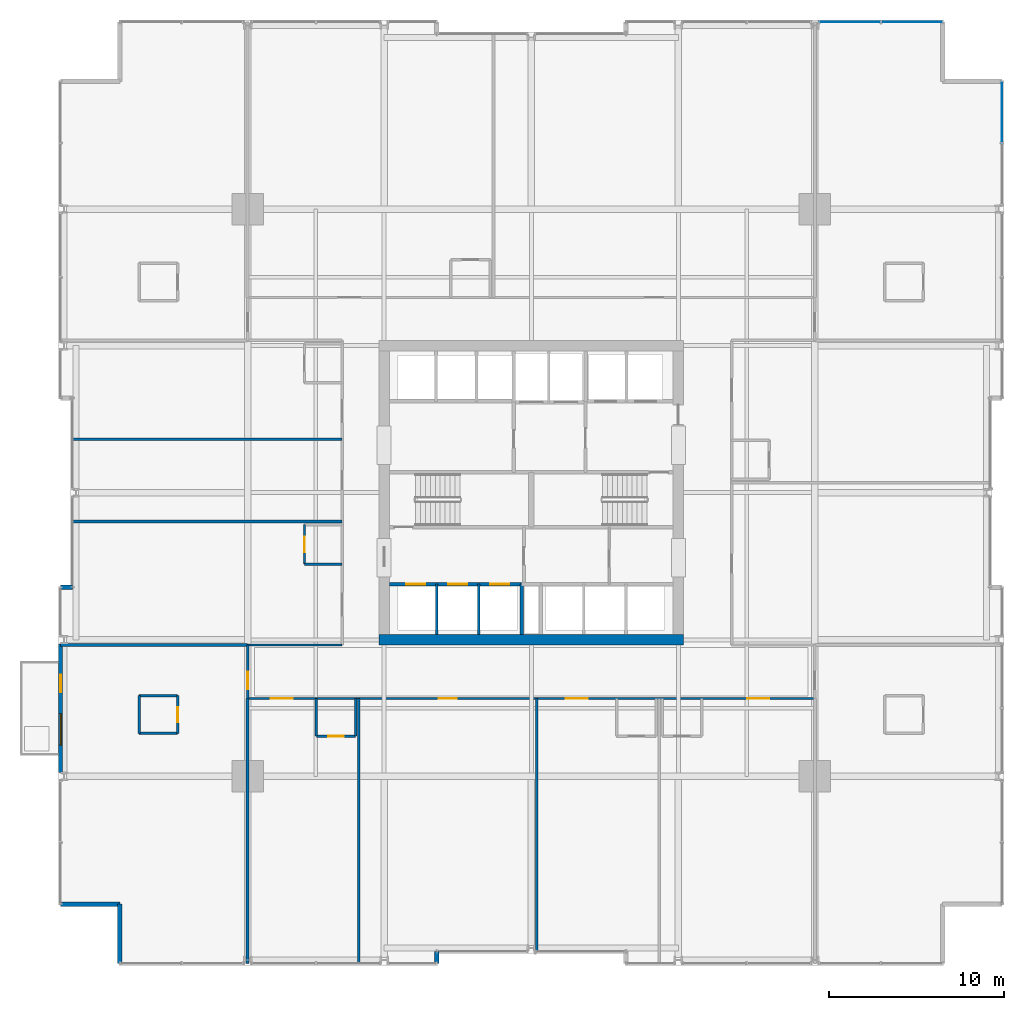
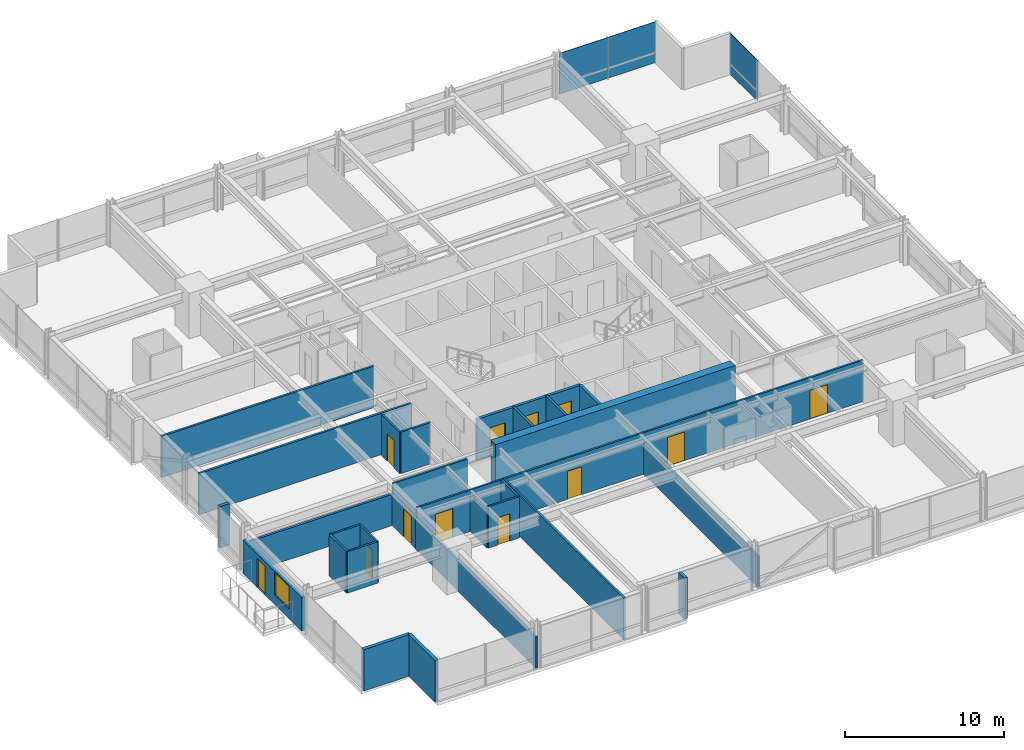
# One storey, part 30 of 37: 28 walls, 12 doors, 3 plates, 1 window, 13 openings, 2 elements without a shape of their own.
"""IFC4 building model written with IfcOpenShell, lengths in metres."""

from ifc_helpers import new_model, si_unit, direction, frame, frame_2d, origin, origin_2d, place, context, subcontext, project, spatial, rectangle, extrude, material, layer, layer_set, type_object, element, fill, aggregate, save


model = new_model("IFC4")

# Units and contexts
model_context = context("Model", 3, precision=1e-05, world=origin(), true_north=direction((0.0, 1.0)))
body_context = subcontext(model_context, "Body", "Model", "MODEL_VIEW")
ifc_project = project(units=[si_unit("LENGTHUNIT", "METRE"), si_unit("AREAUNIT", "SQUARE_METRE"), si_unit("VOLUMEUNIT", "CUBIC_METRE"), si_unit("PLANEANGLEUNIT", "RADIAN"), si_unit("MASSUNIT", "GRAM", prefix="KILO")], contexts=[model_context])

# Site, building, storey
site_placement = place(None, origin())
site = spatial("IfcSite", under=ifc_project, at=site_placement, CompositionType="ELEMENT")
building_placement = place(site_placement, origin())
building = spatial("IfcBuilding", under=site, at=building_placement, Name="Drelvath Grand Hotel", CompositionType="ELEMENT")
storey_placement = place(building_placement, frame((0.0, 0.0, 78.699951171875)))
storey = spatial("IfcBuildingStorey", under=building, at=storey_placement, Name="L19", CompositionType="ELEMENT", Elevation=78.699951171875)

# Curtain wall, plate
ifc_material_1 = material(Name="Warm Bronze Anodised Aluminium Frame", Category="aluminium")
ifc_layer_1 = layer(ifc_material_1, 0.199951171875)
ifc_layer_set_1 = layer_set([ifc_layer_1], Name="Warm Bronze Anodised Aluminium Frame")
curtain_wall_type = type_object("IfcCurtainWallType", Name="Stick Curtain Wall CW-02 Warm Bronze Low-Rise", PredefinedType="NOTDEFINED", material=ifc_layer_set_1)
curtain_wall_1_placement = place(storey_placement, origin())
curtain_wall_1 = element("IfcCurtainWall", 1, at=curtain_wall_1_placement, inside=storey, type_object=curtain_wall_type, Name="L19 CW-02 Curtain Wall CW02-L19-EN3", PredefinedType="NOTDEFINED")
ifc_material_2 = material(Name="Low-E Triple Silver Vision Glass Bronze Tint", Category="glass")
ifc_layer_2 = layer(ifc_material_2, 0.035888671875)
ifc_layer_set_2 = layer_set([ifc_layer_2], Name="Low-E Triple Silver Vision Glass Bronze Tint")
plate_type = type_object("IfcPlateType", Name="Curtain Wall Vision Panel CW-02 36mm", PredefinedType="CURTAIN_PANEL", material=ifc_layer_set_2)
plate_1_placement = place(storey_placement, frame((26.8798828125, 48.732421875, 0.02001953125), z_axis=(0.0, 0.0, 1.0), x_axis=(0.0, -1.0, 0.0)))
plate_1 = element("IfcPlate", 2, at=plate_1_placement, type_object=plate_type, Name="CW02-L19-EN3 Glazed Panel 1", PredefinedType="CURTAIN_PANEL", context=body_context, shape_type="SweptSolid", body=[
    extrude(rectangle(XDim=3.49560546875, YDim=0.035888671875, at=origin_2d()), origin(), (0.0, 0.0, 1.0), 3.139892578125),
])
aggregate(curtain_wall_1, [plate_1])

# Curtain wall, plates
curtain_wall_2_placement = place(storey_placement, origin())
curtain_wall_2 = element("IfcCurtainWall", 3, at=curtain_wall_2_placement, inside=storey, type_object=curtain_wall_type, Name="L19 CW-02 Curtain Wall CW02-L19-NE3", PredefinedType="NOTDEFINED")
plate_2_placement = place(storey_placement, frame((18.19677734375, 53.8798828125, 0.02001953125), z_axis=(0.0, 0.0, 1.0), x_axis=(1.0, 0.0, 0.0)))
plate_2 = element("IfcPlate", 4, at=plate_2_placement, type_object=plate_type, Name="CW02-L19-NE3 Glazed Panel 1", PredefinedType="CURTAIN_PANEL", context=body_context, shape_type="SweptSolid", body=[
    extrude(rectangle(XDim=3.49560546875, YDim=0.035888671875, at=origin_2d()), origin(), (0.0, 0.0, 1.0), 3.139892578125),
])
plate_3_placement = place(storey_placement, frame((21.732421875, 53.8798828125, 0.02001953125), z_axis=(0.0, 0.0, 1.0), x_axis=(1.0, 0.0, 0.0)))
plate_3 = element("IfcPlate", 5, at=plate_3_placement, type_object=plate_type, Name="CW02-L19-NE3 Glazed Panel 2", PredefinedType="CURTAIN_PANEL", context=body_context, shape_type="SweptSolid", body=[
    extrude(rectangle(XDim=3.49560546875, YDim=0.035888671875, at=origin_2d()), origin(), (0.0, 0.0, 1.0), 3.139892578125),
])
aggregate(curtain_wall_2, [plate_2, plate_3])

# Wall, openings, doors
ifc_material_3 = material(Name="Concrete C40/50", Category="concrete")
ifc_layer_3 = layer(ifc_material_3, 0.199951171875)
ifc_layer_set_3 = layer_set([ifc_layer_3], Name="Concrete C40/50")
wall_type_1 = type_object("IfcWallType", Name="Core Hoistway Fire Wall 200", PredefinedType="SOLIDWALL", material=ifc_layer_set_3)
wall_1_placement = place(storey_placement, frame((-0.550048828125, 21.780029296875, 0.0), z_axis=(0.0, 0.0, 1.0), x_axis=(-1.0, 0.0, 0.0)))
wall_1 = element("IfcWall", 6, at=wall_1_placement, inside=storey, type_object=wall_type_1, Name="L19 Bank 1 Hoistway Wall", PredefinedType="SOLIDWALL", context=body_context, shape_type="SweptSolid", body=[
    extrude(rectangle(XDim=7.550048828125, YDim=0.199951171875, at=frame_2d((3.77490234375, 0.0))), origin(), (0.0, 0.0, 1.0), 3.179931640625),
])
opening_1_placement = place(wall_1_placement, frame((5.5, 0.0, 0.0)))
opening_1 = element("IfcOpeningElement", 7, at=opening_1_placement, cuts=wall_1, Name="Opening LD-PE-1", PredefinedType="OPENING", context=body_context, shape_type="SweptSolid", body=[
    extrude(rectangle(XDim=1.10009765625, YDim=2.199951171875, at=frame_2d((0.550048828125, 1.10009765625))), frame((0.0, 0.10986328125, 0.0), z_axis=(0.0, -1.0, 0.0), x_axis=(1.0, 0.0, 0.0)), (0.0, 0.0, 1.0), 0.219970703125),
])
opening_2_placement = place(wall_1_placement, frame((3.10009765625, 0.0, 0.0)))
opening_2 = element("IfcOpeningElement", 8, at=opening_2_placement, cuts=wall_1, Name="Opening LD-PE-2", PredefinedType="OPENING", context=body_context, shape_type="SweptSolid", body=[
    extrude(rectangle(XDim=1.10009765625, YDim=2.199951171875, at=frame_2d((0.550048828125, 1.10009765625))), frame((0.0, 0.10986328125, 0.0), z_axis=(0.0, -1.0, 0.0), x_axis=(1.0, 0.0, 0.0)), (0.0, 0.0, 1.0), 0.219970703125),
])
opening_3_placement = place(wall_1_placement, frame((0.699951171875, 0.0, 0.0)))
opening_3 = element("IfcOpeningElement", 9, at=opening_3_placement, cuts=wall_1, Name="Opening LD-PE-3", PredefinedType="OPENING", context=body_context, shape_type="SweptSolid", body=[
    extrude(rectangle(XDim=1.10009765625, YDim=2.199951171875, at=frame_2d((0.550048828125, 1.10009765625))), frame((0.0, 0.10986328125, 0.0), z_axis=(0.0, -1.0, 0.0), x_axis=(1.0, 0.0, 0.0)), (0.0, 0.0, 1.0), 0.219970703125),
])
ifc_material_4 = material(Name="Stainless Steel S355", Category="steel")
door_type_1 = type_object("IfcDoorType", Name="Passenger Lift Sliding Landing Door 1100x2200", OperationType="NOTDEFINED", PredefinedType="DOOR", material=ifc_material_4)
door_1_placement = place(opening_1_placement, origin())
door_1 = element("IfcDoor", 10, at=door_1_placement, inside=storey, type_object=door_type_1, Name="L19 Lift PE-1 Landing Door", OperationType="SLIDING_TO_LEFT", OverallHeight=2.199951171875, OverallWidth=1.10009765625, PredefinedType="DOOR", context=body_context, shape_type="SweptSolid", body=[
    extrude(rectangle(XDim=1.10009765625, YDim=2.199951171875, at=frame_2d((0.550048828125, 1.10009765625))), frame((0.0, 0.02490234375, 0.0), z_axis=(0.0, -1.0, 0.0), x_axis=(1.0, 0.0, 0.0)), (0.0, 0.0, 1.0), 0.050048828125),
])
fill(opening_1, door_1)
door_2_placement = place(opening_2_placement, origin())
door_2 = element("IfcDoor", 11, at=door_2_placement, inside=storey, type_object=door_type_1, Name="L19 Lift PE-2 Landing Door", OperationType="SLIDING_TO_LEFT", OverallHeight=2.199951171875, OverallWidth=1.10009765625, PredefinedType="DOOR", context=body_context, shape_type="SweptSolid", body=[
    extrude(rectangle(XDim=1.10009765625, YDim=2.199951171875, at=frame_2d((0.550048828125, 1.10009765625))), frame((0.0, 0.02490234375, 0.0), z_axis=(0.0, -1.0, 0.0), x_axis=(1.0, 0.0, 0.0)), (0.0, 0.0, 1.0), 0.050048828125),
])
fill(opening_2, door_2)
door_3_placement = place(opening_3_placement, origin())
door_3 = element("IfcDoor", 12, at=door_3_placement, inside=storey, type_object=door_type_1, Name="L19 Lift PE-3 Landing Door", OperationType="SLIDING_TO_LEFT", OverallHeight=2.199951171875, OverallWidth=1.10009765625, PredefinedType="DOOR", context=body_context, shape_type="SweptSolid", body=[
    extrude(rectangle(XDim=1.10009765625, YDim=2.199951171875, at=frame_2d((0.550048828125, 1.10009765625))), frame((0.0, 0.02490234375, 0.0), z_axis=(0.0, -1.0, 0.0), x_axis=(1.0, 0.0, 0.0)), (0.0, 0.0, 1.0), 0.050048828125),
])
fill(opening_3, door_3)

# Walls
wall_2_placement = place(storey_placement, frame((-0.550048828125, 18.89990234375, 0.0), z_axis=(0.0, 0.0, 1.0), x_axis=(0.0, 1.0, 0.0)))
element("IfcWall", 13, at=wall_2_placement, inside=storey, type_object=wall_type_1, Name="L19 Bank 1 East Wall", PredefinedType="SOLIDWALL", context=body_context, shape_type="SweptSolid", body=[
    extrude(rectangle(XDim=2.880126953125, YDim=0.199951171875, at=frame_2d((1.43994140625, 0.0))), origin(), (0.0, 0.0, 1.0), 3.179931640625),
])
ifc_material_5 = material(Name="Gypsum Fireboard Partition")
ifc_layer_4 = layer(ifc_material_5, 0.1650390625)
ifc_layer_set_4 = layer_set([ifc_layer_4], Name="Gypsum Fireboard Partition")
wall_type_2 = type_object("IfcWallType", Name="Core Shaft Partition 165", PredefinedType="PARTITIONING", material=ifc_layer_set_4)
for number, where, z_axis, x_axis, name in (
    (14, (-5.39990234375, 18.89990234375, 0.0), (0.0, 0.0, 1.0), (0.0, 1.0, 0.0), "L19 Lift PE-1/2 Divider"),
    (15, (-3.0, 18.89990234375, 0.0), (0.0, 0.0, 1.0), (0.0, 1.0, 0.0), "L19 Lift PE-2/3 Divider"),
):
    element("IfcWall", number, at=place(storey_placement, frame(where, z_axis=z_axis, x_axis=x_axis)), inside=storey, type_object=wall_type_2, Name=name, PredefinedType="PARTITIONING", context=body_context, shape_type="SweptSolid", body=[
        extrude(rectangle(XDim=2.880126953125, YDim=0.1650390625, at=frame_2d((1.43994140625, 0.0))), origin(), (0.0, 0.0, 1.0), 3.179931640625),
    ])

# Wall, openings, doors
ifc_layer_5 = layer(ifc_material_5, 0.135009765625)
ifc_layer_set_5 = layer_set([ifc_layer_5], Name="Gypsum Fireboard Partition")
wall_type_3 = type_object("IfcWallType", Name="Corridor Fire Barrier Wall 135", PredefinedType="PARTITIONING", material=ifc_layer_set_5)
wall_3_placement = place(storey_placement, frame((-16.199951171875, 15.25, 0.0), z_axis=(0.0, 0.0, 1.0), x_axis=(1.0, 0.0, 0.0)))
wall_3 = element("IfcWall", 16, at=wall_3_placement, inside=storey, type_object=wall_type_3, Name="L19 South Corridor Wall", PredefinedType="PARTITIONING", context=body_context, shape_type="SweptSolid", body=[
    extrude(rectangle(XDim=32.39990234375, YDim=0.135009765625, at=frame_2d((16.199951171875, 0.0))), origin(), (0.0, 0.0, 1.0), 3.179931640625),
])
opening_4_placement = place(wall_3_placement, frame((1.331298828125, 0.0, 0.0)))
opening_4 = element("IfcOpeningElement", 17, at=opening_4_placement, cuts=wall_3, Name="Opening D-T1G5-025", PredefinedType="OPENING", context=body_context, shape_type="SweptSolid", body=[
    extrude(rectangle(XDim=1.260009765625, YDim=2.199951171875, at=frame_2d((0.6298828125, 1.10009765625))), frame((0.0, 0.077392578125, 0.0), z_axis=(0.0, -1.0, 0.0), x_axis=(1.0, 0.0, 0.0)), (0.0, 0.0, 1.0), 0.155029296875),
])
opening_5_placement = place(wall_3_placement, frame((10.92529296875, 0.0, 0.0)))
opening_5 = element("IfcOpeningElement", 18, at=opening_5_placement, cuts=wall_3, Name="Opening D-T1G5-026", PredefinedType="OPENING", context=body_context, shape_type="SweptSolid", body=[
    extrude(rectangle(XDim=1.02001953125, YDim=2.14990234375, at=frame_2d((0.510009765625, 1.074951171875))), frame((0.0, 0.077392578125, 0.0), z_axis=(0.0, -1.0, 0.0), x_axis=(1.0, 0.0, 0.0)), (0.0, 0.0, 1.0), 0.155029296875),
])
opening_6_placement = place(wall_3_placement, frame((18.166748046875, 0.0, 0.0)))
opening_6 = element("IfcOpeningElement", 19, at=opening_6_placement, cuts=wall_3, Name="Opening D-T1G5-028", PredefinedType="OPENING", context=body_context, shape_type="SweptSolid", body=[
    extrude(rectangle(XDim=1.260009765625, YDim=2.199951171875, at=frame_2d((0.6298828125, 1.10009765625))), frame((0.0, 0.077392578125, 0.0), z_axis=(0.0, -1.0, 0.0), x_axis=(1.0, 0.0, 0.0)), (0.0, 0.0, 1.0), 0.155029296875),
])
opening_7_placement = place(wall_3_placement, frame((28.5380859375, 0.0, 0.0)))
opening_7 = element("IfcOpeningElement", 20, at=opening_7_placement, cuts=wall_3, Name="Opening D-T1G5-030", PredefinedType="OPENING", context=body_context, shape_type="SweptSolid", body=[
    extrude(rectangle(XDim=1.260009765625, YDim=2.199951171875, at=frame_2d((0.6298828125, 1.10009765625))), frame((0.0, 0.077392578125, 0.0), z_axis=(0.0, -1.0, 0.0), x_axis=(1.0, 0.0, 0.0)), (0.0, 0.0, 1.0), 0.155029296875),
])
ifc_material_6 = material(Name="Hardwood Walnut Timber", Category="wood")
door_type_2 = type_object("IfcDoorType", Name="Amenity Meeting Fire Door 1020x2150", OperationType="NOTDEFINED", PredefinedType="DOOR", material=ifc_material_6)
door_4_placement = place(opening_5_placement, origin())
door_4 = element("IfcDoor", 21, at=door_4_placement, inside=storey, type_object=door_type_2, Name="L19 Executive Boardroom Entry Door", OperationType="SINGLE_SWING_LEFT", OverallHeight=2.14990234375, OverallWidth=1.02001953125, PredefinedType="DOOR", context=body_context, shape_type="SweptSolid", body=[
    extrude(rectangle(XDim=1.02001953125, YDim=2.14990234375, at=frame_2d((0.510009765625, 1.074951171875))), frame((0.0, 0.02490234375, 0.0), z_axis=(0.0, -1.0, 0.0), x_axis=(1.0, 0.0, 0.0)), (0.0, 0.0, 1.0), 0.050048828125),
])
fill(opening_5, door_4)
door_type_3 = type_object("IfcDoorType", Name="Suite Entrance Fire Door 1260x2200", OperationType="NOTDEFINED", PredefinedType="DOOR", material=ifc_material_6)
door_5_placement = place(opening_4_placement, origin())
door_5 = element("IfcDoor", 22, at=door_5_placement, inside=storey, type_object=door_type_3, Name="L19 Corner Suite Entry Door", OperationType="SINGLE_SWING_RIGHT", OverallHeight=2.199951171875, OverallWidth=1.260009765625, PredefinedType="DOOR", context=body_context, shape_type="SweptSolid", body=[
    extrude(rectangle(XDim=1.260009765625, YDim=2.199951171875, at=frame_2d((0.6298828125, 1.10009765625))), frame((0.0, 0.02490234375, 0.0), z_axis=(0.0, -1.0, 0.0), x_axis=(1.0, 0.0, 0.0)), (0.0, 0.0, 1.0), 0.050048828125),
])
fill(opening_4, door_5)
door_6_placement = place(opening_6_placement, origin())
door_6 = element("IfcDoor", 23, at=door_6_placement, inside=storey, type_object=door_type_3, Name="L19 Corner Suite Entry Door", OperationType="SINGLE_SWING_LEFT", OverallHeight=2.199951171875, OverallWidth=1.260009765625, PredefinedType="DOOR", context=body_context, shape_type="SweptSolid", body=[
    extrude(rectangle(XDim=1.260009765625, YDim=2.199951171875, at=frame_2d((0.6298828125, 1.10009765625))), frame((0.0, 0.02490234375, 0.0), z_axis=(0.0, -1.0, 0.0), x_axis=(1.0, 0.0, 0.0)), (0.0, 0.0, 1.0), 0.050048828125),
])
fill(opening_6, door_6)
door_7_placement = place(opening_7_placement, origin())
door_7 = element("IfcDoor", 24, at=door_7_placement, inside=storey, type_object=door_type_3, Name="L19 Corner Suite Entry Door", OperationType="SINGLE_SWING_LEFT", OverallHeight=2.199951171875, OverallWidth=1.260009765625, PredefinedType="DOOR", context=body_context, shape_type="SweptSolid", body=[
    extrude(rectangle(XDim=1.260009765625, YDim=2.199951171875, at=frame_2d((0.6298828125, 1.10009765625))), frame((0.0, 0.02490234375, 0.0), z_axis=(0.0, -1.0, 0.0), x_axis=(1.0, 0.0, 0.0)), (0.0, 0.0, 1.0), 0.050048828125),
])
fill(opening_7, door_7)

# Wall
wall_4_placement = place(storey_placement, frame((-16.199951171875, 18.300048828125, 0.0), z_axis=(0.0, 0.0, 1.0), x_axis=(1.0, 0.0, 0.0)))
element("IfcWall", 25, at=wall_4_placement, inside=storey, type_object=wall_type_3, Name="L19 SW Spur Inner Wall", PredefinedType="PARTITIONING", context=body_context, shape_type="SweptSolid", body=[
    extrude(rectangle(XDim=5.39990234375, YDim=0.135009765625, at=frame_2d((2.699951171875, 0.0))), origin(), (0.0, 0.0, 1.0), 3.179931640625),
])

# Wall, opening, door
wall_5_placement = place(storey_placement, frame((-16.199951171875, 15.25, 0.0), z_axis=(0.0, 0.0, 1.0), x_axis=(0.0, 1.0, 0.0)))
wall_5 = element("IfcWall", 26, at=wall_5_placement, inside=storey, type_object=wall_type_3, Name="L19 South Corridor West End", PredefinedType="PARTITIONING", context=body_context, shape_type="SweptSolid", body=[
    extrude(rectangle(XDim=3.050048828125, YDim=0.135009765625, at=frame_2d((1.52490234375, 0.0))), origin(), (0.0, 0.0, 1.0), 2.391845703125),
])
opening_8_placement = place(wall_5_placement, frame((0.52001953125, 0.0, 0.0)))
opening_8 = element("IfcOpeningElement", 27, at=opening_8_placement, cuts=wall_5, Name="Opening D-T1G5-017", PredefinedType="OPENING", context=body_context, shape_type="SweptSolid", body=[
    extrude(rectangle(XDim=1.02001953125, YDim=2.14990234375, at=frame_2d((0.510009765625, 1.074951171875))), frame((0.0, 0.077392578125, 0.0), z_axis=(0.0, -1.0, 0.0), x_axis=(1.0, 0.0, 0.0)), (0.0, 0.0, 1.0), 0.155029296875),
])
door_8_placement = place(opening_8_placement, origin())
door_8 = element("IfcDoor", 28, at=door_8_placement, inside=storey, type_object=door_type_2, Name="L19 Corner Suite Entry Door", OperationType="SINGLE_SWING_RIGHT", OverallHeight=2.14990234375, OverallWidth=1.02001953125, PredefinedType="DOOR", context=body_context, shape_type="SweptSolid", body=[
    extrude(rectangle(XDim=1.02001953125, YDim=2.14990234375, at=frame_2d((0.510009765625, 1.074951171875))), frame((0.0, 0.02490234375, 0.0), z_axis=(0.0, -1.0, 0.0), x_axis=(1.0, 0.0, 0.0)), (0.0, 0.0, 1.0), 0.050048828125),
])
fill(opening_8, door_8)

# Walls
ifc_material_7 = material(Name="Moisture-Resistant Gypsum Board")
ifc_layer_6 = layer(ifc_material_7, 0.139892578125)
ifc_layer_set_6 = layer_set([ifc_layer_6], Name="Moisture-Resistant Gypsum Board")
wall_type_4 = type_object("IfcWallType", Name="En-Suite Plumbing Wall 140", PredefinedType="PLUMBINGWALL", material=ifc_layer_set_6)
for number, where, z_axis, x_axis, name in (
    (29, (-22.39990234375, 13.260009765625, 0.0), (0.0, 0.0, 1.0), (1.0, 0.0, 0.0), "L19 Corner En-Suite South"),
    (30, (-22.39990234375, 15.409912109375, 0.0), (0.0, 0.0, 1.0), (1.0, 0.0, 0.0), "L19 Corner En-Suite North"),
):
    element("IfcWall", number, at=place(storey_placement, frame(where, z_axis=z_axis, x_axis=x_axis)), inside=storey, type_object=wall_type_4, Name=name, PredefinedType="PLUMBINGWALL", context=body_context, shape_type="SweptSolid", body=[
        extrude(rectangle(XDim=2.199951171875, YDim=0.139892578125, at=frame_2d((1.10009765625, 0.0))), origin(), (0.0, 0.0, 1.0), 3.179931640625),
    ])
wall_6_placement = place(storey_placement, frame((-22.39990234375, 13.260009765625, 0.0), z_axis=(0.0, 0.0, 1.0), x_axis=(0.0, 1.0, 0.0)))
element("IfcWall", 31, at=wall_6_placement, inside=storey, type_object=wall_type_4, Name="L19 Corner En-Suite West", PredefinedType="PLUMBINGWALL", context=body_context, shape_type="SweptSolid", body=[
    extrude(rectangle(XDim=2.14990234375, YDim=0.139892578125, at=frame_2d((1.074951171875, 0.0))), origin(), (0.0, 0.0, 1.0), 3.179931640625),
])

# Wall, opening, door
wall_7_placement = place(storey_placement, frame((-20.199951171875, 13.260009765625, 0.0), z_axis=(0.0, 0.0, 1.0), x_axis=(0.0, 1.0, 0.0)))
wall_7 = element("IfcWall", 32, at=wall_7_placement, inside=storey, type_object=wall_type_4, Name="L19 Corner En-Suite East", PredefinedType="PLUMBINGWALL", context=body_context, shape_type="SweptSolid", body=[
    extrude(rectangle(XDim=2.14990234375, YDim=0.139892578125, at=frame_2d((1.074951171875, 0.0))), origin(), (0.0, 0.0, 1.0), 3.179931640625),
])
opening_9_placement = place(wall_7_placement, frame((0.6201171875, 0.0, 0.0)))
opening_9 = element("IfcOpeningElement", 33, at=opening_9_placement, cuts=wall_7, Name="Opening D-T1G5-016", PredefinedType="OPENING", context=body_context, shape_type="SweptSolid", body=[
    extrude(rectangle(XDim=0.8798828125, YDim=2.10009765625, at=frame_2d((0.43994140625, 1.050048828125))), frame((0.0, 0.079833984375, 0.0), z_axis=(0.0, -1.0, 0.0), x_axis=(1.0, 0.0, 0.0)), (0.0, 0.0, 1.0), 0.159912109375),
])
door_type_4 = type_object("IfcDoorType", Name="En-Suite Bathroom Door 880x2100", OperationType="NOTDEFINED", PredefinedType="DOOR", material=ifc_material_6)
door_9_placement = place(opening_9_placement, origin())
door_9 = element("IfcDoor", 34, at=door_9_placement, inside=storey, type_object=door_type_4, Name="L19 Corner En-Suite Door", OperationType="SINGLE_SWING_LEFT", OverallHeight=2.10009765625, OverallWidth=0.8798828125, PredefinedType="DOOR", context=body_context, shape_type="SweptSolid", body=[
    extrude(rectangle(XDim=0.8798828125, YDim=2.10009765625, at=frame_2d((0.43994140625, 1.050048828125))), frame((0.0, 0.02490234375, 0.0), z_axis=(0.0, -1.0, 0.0), x_axis=(1.0, 0.0, 0.0)), (0.0, 0.0, 1.0), 0.050048828125),
])
fill(opening_9, door_9)

# Walls
wall_8_placement = place(storey_placement, frame((-12.277099609375, 15.25, 0.0), z_axis=(0.0, 0.0, 1.0), x_axis=(0.0, -1.0, 0.0)))
element("IfcWall", 35, at=wall_8_placement, inside=storey, type_object=wall_type_4, Name="L19 En-Suite Left Wall", PredefinedType="PLUMBINGWALL", context=body_context, shape_type="SweptSolid", body=[
    extrude(rectangle(XDim=2.14990234375, YDim=0.139892578125, at=frame_2d((1.074951171875, 0.0))), origin(), (0.0, 0.0, 1.0), 2.705078125),
])
wall_9_placement = place(storey_placement, frame((-10.027099609375, 15.25, 0.0), z_axis=(0.0, 0.0, 1.0), x_axis=(0.0, -1.0, 0.0)))
element("IfcWall", 36, at=wall_9_placement, inside=storey, type_object=wall_type_4, Name="L19 En-Suite Right Wall", PredefinedType="PLUMBINGWALL", context=body_context, shape_type="SweptSolid", body=[
    extrude(rectangle(XDim=2.14990234375, YDim=0.139892578125, at=frame_2d((1.074951171875, 0.0))), origin(), (0.0, 0.0, 1.0), 3.179931640625),
])

# Wall, opening, door
wall_10_placement = place(storey_placement, frame((-12.277099609375, 13.10009765625, 0.0), z_axis=(0.0, 0.0, 1.0), x_axis=(1.0, 0.0, 0.0)))
wall_10 = element("IfcWall", 37, at=wall_10_placement, inside=storey, type_object=wall_type_4, Name="L19 En-Suite Front Wall", PredefinedType="PLUMBINGWALL", context=body_context, shape_type="SweptSolid", body=[
    extrude(rectangle(XDim=2.25, YDim=0.139892578125, at=frame_2d((1.125, 0.0))), origin(), (0.0, 0.0, 1.0), 3.179931640625),
])
opening_10_placement = place(wall_10_placement, frame((0.68505859375, 0.0, 0.0)))
opening_10 = element("IfcOpeningElement", 38, at=opening_10_placement, cuts=wall_10, Name="Opening D-T1G5-024", PredefinedType="OPENING", context=body_context, shape_type="SweptSolid", body=[
    extrude(rectangle(XDim=0.8798828125, YDim=2.10009765625, at=frame_2d((0.43994140625, 1.050048828125))), frame((0.0, 0.079833984375, 0.0), z_axis=(0.0, -1.0, 0.0), x_axis=(1.0, 0.0, 0.0)), (0.0, 0.0, 1.0), 0.159912109375),
])
door_10_placement = place(opening_10_placement, origin())
door_10 = element("IfcDoor", 39, at=door_10_placement, inside=storey, type_object=door_type_4, Name="L19 En-Suite Bathroom Door", OperationType="SINGLE_SWING_LEFT", OverallHeight=2.10009765625, OverallWidth=0.8798828125, PredefinedType="DOOR", context=body_context, shape_type="SweptSolid", body=[
    extrude(rectangle(XDim=0.8798828125, YDim=2.10009765625, at=frame_2d((0.43994140625, 1.050048828125))), frame((0.0, 0.02490234375, 0.0), z_axis=(0.0, -1.0, 0.0), x_axis=(1.0, 0.0, 0.0)), (0.0, 0.0, 1.0), 0.050048828125),
])
fill(opening_10, door_10)

# Wall
wall_11_placement = place(storey_placement, frame((-10.800048828125, 22.924072265625, 0.0), z_axis=(0.0, 0.0, 1.0), x_axis=(-1.0, 0.0, 0.0)))
element("IfcWall", 40, at=wall_11_placement, inside=storey, type_object=wall_type_4, Name="L19 En-Suite Left Wall", PredefinedType="PLUMBINGWALL", context=body_context, shape_type="SweptSolid", body=[
    extrude(rectangle(XDim=2.14990234375, YDim=0.139892578125, at=frame_2d((1.074951171875, 0.0))), origin(), (0.0, 0.0, 1.0), 3.179931640625),
])

# Wall, opening, door
wall_12_placement = place(storey_placement, frame((-12.949951171875, 22.924072265625, 0.0), z_axis=(0.0, 0.0, 1.0), x_axis=(0.0, 1.0, 0.0)))
wall_12 = element("IfcWall", 41, at=wall_12_placement, inside=storey, type_object=wall_type_4, Name="L19 En-Suite Front Wall", PredefinedType="PLUMBINGWALL", context=body_context, shape_type="SweptSolid", body=[
    extrude(rectangle(XDim=2.25, YDim=0.139892578125, at=frame_2d((1.125, 0.0))), origin(), (0.0, 0.0, 1.0), 3.179931640625),
])
opening_11_placement = place(wall_12_placement, frame((0.68505859375, 0.0, 0.0)))
opening_11 = element("IfcOpeningElement", 42, at=opening_11_placement, cuts=wall_12, Name="Opening D-T1G5-034", PredefinedType="OPENING", context=body_context, shape_type="SweptSolid", body=[
    extrude(rectangle(XDim=0.8798828125, YDim=2.10009765625, at=frame_2d((0.43994140625, 1.050048828125))), frame((0.0, 0.079833984375, 0.0), z_axis=(0.0, -1.0, 0.0), x_axis=(1.0, 0.0, 0.0)), (0.0, 0.0, 1.0), 0.159912109375),
])
door_11_placement = place(opening_11_placement, origin())
door_11 = element("IfcDoor", 43, at=door_11_placement, inside=storey, type_object=door_type_4, Name="L19 En-Suite Bathroom Door", OperationType="SINGLE_SWING_LEFT", OverallHeight=2.10009765625, OverallWidth=0.8798828125, PredefinedType="DOOR", context=body_context, shape_type="SweptSolid", body=[
    extrude(rectangle(XDim=0.8798828125, YDim=2.10009765625, at=frame_2d((0.43994140625, 1.050048828125))), frame((0.0, 0.02490234375, 0.0), z_axis=(0.0, -1.0, 0.0), x_axis=(1.0, 0.0, 0.0)), (0.0, 0.0, 1.0), 0.050048828125),
])
fill(opening_11, door_11)

# Walls
ifc_material_8 = material(Name="Gypsum Acoustic Partition")
ifc_layer_7 = layer(ifc_material_8, 0.14990234375)
ifc_layer_set_7 = layer_set([ifc_layer_7], Name="Gypsum Acoustic Partition")
wall_type_5 = type_object("IfcWallType", Name="Guestroom Demising Wall 150", PredefinedType="PARTITIONING", material=ifc_layer_set_7)
wall_13_placement = place(storey_placement, frame((-9.84716796875, 0.1201171875, 0.0), z_axis=(0.0, 0.0, 1.0), x_axis=(0.0, 1.0, 0.0)))
element("IfcWall", 44, at=wall_13_placement, inside=storey, type_object=wall_type_5, Name="L19 South Demising 1", PredefinedType="PARTITIONING", context=body_context, shape_type="SweptSolid", body=[
    extrude(rectangle(XDim=15.1298828125, YDim=0.14990234375, at=frame_2d((7.56494140625, 0.0))), origin(), (0.0, 0.0, 1.0), 3.179931640625),
])
wall_14_placement = place(storey_placement, frame((0.317626953125, 0.800048828125, 0.0), z_axis=(0.0, 0.0, 1.0), x_axis=(0.0, 1.0, 0.0)))
element("IfcWall", 45, at=wall_14_placement, inside=storey, type_object=wall_type_5, Name="L19 South Demising 2", PredefinedType="PARTITIONING", context=body_context, shape_type="SweptSolid", body=[
    extrude(rectangle(XDim=14.449951171875, YDim=0.14990234375, at=frame_2d((7.22509765625, 0.0))), origin(), (0.0, 0.0, 1.0), 2.391845703125),
])
for number, where, z_axis, x_axis, name in (
    (46, (-26.199951171875, 25.35400390625, 0.0), (0.0, 0.0, 1.0), (1.0, 0.0, 0.0), "L19 West Demising 1"),
    (47, (-26.199951171875, 30.056884765625, 0.0), (0.0, 0.0, 1.0), (1.0, 0.0, 0.0), "L19 West Demising 2"),
):
    element("IfcWall", number, at=place(storey_placement, frame(where, z_axis=z_axis, x_axis=x_axis)), inside=storey, type_object=wall_type_5, Name=name, PredefinedType="PARTITIONING", context=body_context, shape_type="SweptSolid", body=[
        extrude(rectangle(XDim=15.39990234375, YDim=0.14990234375, at=frame_2d((7.699951171875, 0.0))), origin(), (0.0, 0.0, 1.0), 3.179931640625),
    ])
ifc_material_9 = material(Name="Concrete f'c 70 MPa", Category="concrete")
ifc_layer_8 = layer(ifc_material_9, 0.60009765625)
ifc_layer_set_8 = layer_set([ifc_layer_8], Name="Concrete f'c 70 MPa")
wall_type_6 = type_object("IfcWallType", Name="Lower Core RC Shear Wall 600", PredefinedType="SHEAR", material=ifc_layer_set_8)
wall_15_placement = place(storey_placement, frame((8.699951171875, 18.60009765625, 0.0), z_axis=(0.0, 0.0, 1.0), x_axis=(-1.0, 0.0, 0.0)))
element("IfcWall", 48, at=wall_15_placement, inside=storey, type_object=wall_type_6, Name="L19 Central Core Shear Wall S", PredefinedType="SHEAR", context=body_context, shape_type="SweptSolid", body=[
    extrude(rectangle(XDim=17.39990234375, YDim=0.60009765625, at=frame_2d((8.699951171875, 0.0))), origin(), (0.0, 0.0, 1.0), 3.5),
])
ifc_layer_9 = layer(ifc_material_8, 0.1650390625)
ifc_layer_set_9 = layer_set([ifc_layer_9], Name="Gypsum Acoustic Partition")
wall_type_7 = type_object("IfcWallType", Name="Suite Demising Wall 165", PredefinedType="PARTITIONING", material=ifc_layer_set_9)
wall_16_placement = place(storey_placement, frame((-16.199951171875, 0.1201171875, 0.0), z_axis=(0.0, 0.0, 1.0), x_axis=(0.0, 1.0, 0.0)))
element("IfcWall", 49, at=wall_16_placement, inside=storey, type_object=wall_type_7, Name="L19 SW Wing Boundary Wall", PredefinedType="PARTITIONING", context=body_context, shape_type="SweptSolid", body=[
    extrude(rectangle(XDim=15.1298828125, YDim=0.1650390625, at=frame_2d((7.56494140625, 0.0))), origin(), (0.0, 0.0, 1.0), 2.391845703125),
])
wall_17_placement = place(storey_placement, frame((-26.8798828125, 18.300048828125, 0.0), z_axis=(0.0, 0.0, 1.0), x_axis=(1.0, 0.0, 0.0)))
element("IfcWall", 50, at=wall_17_placement, inside=storey, type_object=wall_type_7, Name="L19 SW Corner North Wall", PredefinedType="PARTITIONING", context=body_context, shape_type="SweptSolid", body=[
    extrude(rectangle(XDim=10.679931640625, YDim=0.1650390625, at=frame_2d((5.33984375, 0.0))), origin(), (0.0, 0.0, 1.0), 2.391845703125),
])

# Wall, openings, window, door
ifc_material_10 = material(Name="Pale-Metal Insulated Aluminium Spandrel Assembly", Category="aluminium")
ifc_layer_10 = layer(ifc_material_10, 0.239990234375)
ifc_layer_set_10 = layer_set([ifc_layer_10], Name="Pale-Metal Insulated Aluminium Spandrel Assembly")
wall_type_8 = type_object("IfcWallType", Name="Tower Insulated Metal Spandrel Closure Wall 240", PredefinedType="STANDARD", material=ifc_layer_set_10)
wall_18_placement = place(storey_placement, frame((-26.8798828125, 11.029052734375, 0.0), z_axis=(0.0, 0.0, 1.0), x_axis=(0.0, 1.0, 0.0)))
wall_18 = element("IfcWall", 51, at=wall_18_placement, inside=storey, type_object=wall_type_8, Name="L19 Exterior Terrace Door Bay Wall WS2", PredefinedType="STANDARD", context=body_context, shape_type="SweptSolid", body=[
    extrude(rectangle(XDim=7.341796875, YDim=0.239990234375, at=frame_2d((3.6708984375, 0.0))), origin(), (0.0, 0.0, 1.0), 2.56884765625),
])
opening_12_placement = place(wall_18_placement, frame((4.57080078125, 0.0, 0.0)))
opening_12 = element("IfcOpeningElement", 52, at=opening_12_placement, cuts=wall_18, Name="Opening TD-1000", PredefinedType="OPENING", context=body_context, shape_type="SweptSolid", body=[
    extrude(rectangle(XDim=1.0, YDim=2.199951171875, at=frame_2d((0.5, 1.10009765625))), frame((0.0, 0.1298828125, 0.0), z_axis=(0.0, -1.0, 0.0), x_axis=(1.0, 0.0, 0.0)), (0.0, 0.0, 1.0), 0.260009765625),
])
opening_13_placement = place(wall_18_placement, frame((1.55908203125, 0.0, 0.75)))
opening_13 = element("IfcOpeningElement", 53, at=opening_13_placement, cuts=wall_18, Name="Opening W-02", PredefinedType="OPENING", context=body_context, shape_type="SweptSolid", body=[
    extrude(rectangle(XDim=1.800048828125, YDim=1.718994140625, at=frame_2d((0.89990234375, 0.859375))), frame((0.0, 0.1298828125, 0.0), z_axis=(0.0, -1.0, 0.0), x_axis=(1.0, 0.0, 0.0)), (0.0, 0.0, 1.0), 0.260009765625),
])
ifc_material_11 = material(Name="Bronze Anodised Low-E Triple Glazing", Category="glass")
window_type = type_object("IfcWindowType", Name="Chicago Double-Pane Podium Window 1800x2400", PartitioningType="DOUBLE_PANEL_VERTICAL", PredefinedType="WINDOW", material=ifc_material_11)
window_placement = place(opening_13_placement, origin())
window = element("IfcWindow", 54, at=window_placement, inside=storey, type_object=window_type, Name="L19 Terrace Bay Companion Window WS2", OverallHeight=1.718994140625, OverallWidth=1.800048828125, PartitioningType="SINGLE_PANEL", PredefinedType="WINDOW", context=body_context, shape_type="SweptSolid", body=[
    extrude(rectangle(XDim=1.800048828125, YDim=1.718994140625, at=frame_2d((0.89990234375, 0.859375))), frame((0.0, 0.030029296875, 0.0), z_axis=(0.0, -1.0, 0.0), x_axis=(1.0, 0.0, 0.0)), (0.0, 0.0, 1.0), 0.06005859375),
])
fill(opening_13, window)
ifc_material_12 = material(Name="Anodised Aluminium Thermally Broken Glazed Door", Category="aluminium")
door_type_5 = type_object("IfcDoorType", Name="Terrace and Tree Balcony Glazed Door 1000x2200", OperationType="NOTDEFINED", PredefinedType="DOOR", material=ifc_material_12)
door_12_placement = place(opening_12_placement, origin())
door_12 = element("IfcDoor", 55, at=door_12_placement, inside=storey, type_object=door_type_5, Name="L19 Tree Balcony Door DOOR-L19-TBAL-1", OperationType="SINGLE_SWING_RIGHT", OverallHeight=2.199951171875, OverallWidth=1.0, PredefinedType="DOOR", context=body_context, shape_type="SweptSolid", body=[
    extrude(rectangle(XDim=1.0, YDim=2.199951171875, at=frame_2d((0.5, 1.10009765625))), frame((0.0, 0.02490234375, 0.0), z_axis=(0.0, -1.0, 0.0), x_axis=(1.0, 0.0, 0.0)), (0.0, 0.0, 1.0), 0.050048828125),
])
fill(opening_12, door_12)

# Walls
for number, where, z_axis, x_axis, name in (
    (56, (-23.5, 0.1201171875, 0.0), (0.0, 0.0, 1.0), (0.0, 1.0, 0.0), "L19 Notched Corner Return Spandrel Wall CSW1"),
    (57, (-23.5, 3.5, 0.0), (0.0, 0.0, 1.0), (-1.0, 0.0, 0.0), "L19 Notched Corner Return Spandrel Wall CSW2"),
):
    element("IfcWall", number, at=place(storey_placement, frame(where, z_axis=z_axis, x_axis=x_axis)), inside=storey, type_object=wall_type_8, Name=name, PredefinedType="STANDARD", context=body_context, shape_type="SweptSolid", body=[
        extrude(rectangle(XDim=3.3798828125, YDim=0.239990234375, at=frame_2d((1.68994140625, 0.0))), origin(), (0.0, 0.0, 1.0), 3.179931640625),
    ])
for number, where, z_axis, x_axis, name in (
    (58, (-26.8798828125, 21.60009765625, 0.0), (0.0, 0.0, 1.0), (1.0, 0.0, 0.0), "L19 Notched Corner Return Spandrel Wall RW1"),
    (59, (-5.39990234375, 0.800048828125, 0.0), (0.0, 0.0, 1.0), (0.0, -1.0, 0.0), "L19 Notched Corner Return Spandrel Wall RS2"),
):
    element("IfcWall", number, at=place(storey_placement, frame(where, z_axis=z_axis, x_axis=x_axis)), inside=storey, type_object=wall_type_8, Name=name, PredefinedType="STANDARD", context=body_context, shape_type="SweptSolid", body=[
        extrude(rectangle(XDim=0.679931640625, YDim=0.239990234375, at=frame_2d((0.33984375, 0.0))), origin(), (0.0, 0.0, 1.0), 3.179931640625),
    ])

save(model, "model.ifc")
